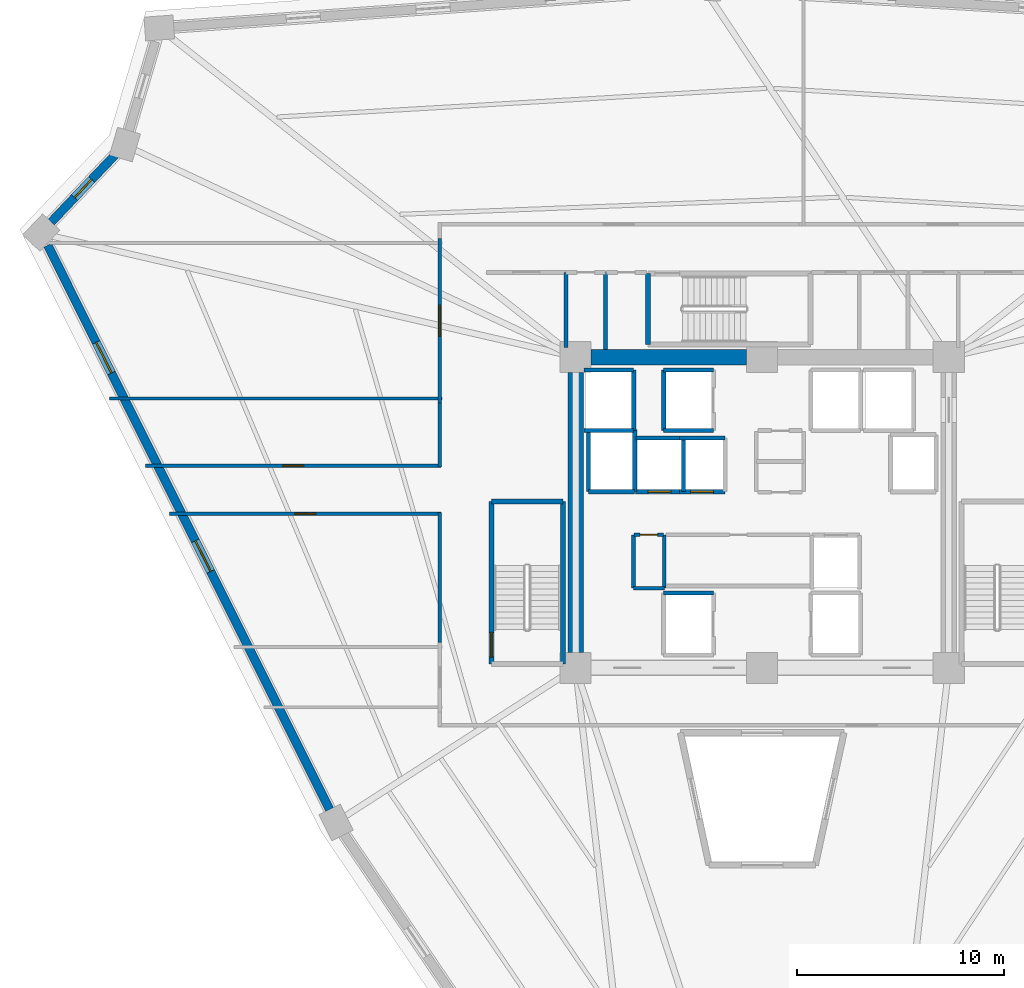
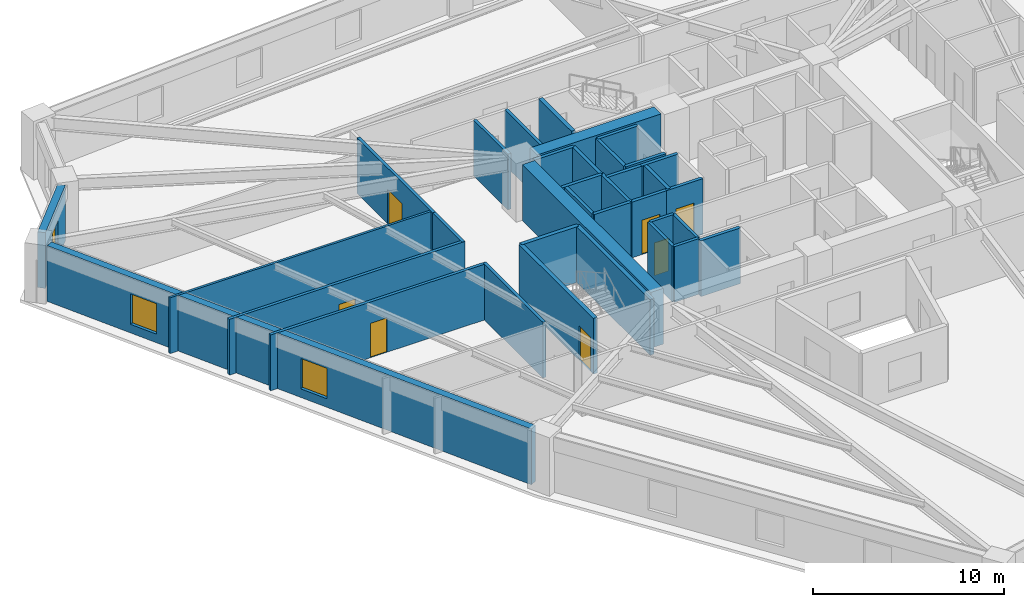
# One storey, part 4 of 8: 35 walls, 7 doors, 3 windows, 10 openings.
"""IFC4 building model written with IfcOpenShell, lengths in metres."""

from ifc_helpers import new_model, si_unit, direction, frame, frame_2d, origin, place, context, subcontext, project, spatial, rectangle, extrude, source, transform, mapped, material, layer, layer_set, type_object, element, fill, save


model = new_model("IFC4")

# Units and contexts
model_context = context("Model", 3, precision=1e-05, world=origin(), true_north=direction((0.0, 1.0)))
body_context = subcontext(model_context, "Body", "Model", "MODEL_VIEW")
ifc_project = project(units=[si_unit("LENGTHUNIT", "METRE"), si_unit("AREAUNIT", "SQUARE_METRE"), si_unit("VOLUMEUNIT", "CUBIC_METRE"), si_unit("PLANEANGLEUNIT", "RADIAN"), si_unit("MASSUNIT", "GRAM", prefix="KILO")], contexts=[model_context])

# Site, building, storey
site_placement = place(None, origin())
site = spatial("IfcSite", under=ifc_project, at=site_placement, CompositionType="ELEMENT")
building_placement = place(site_placement, origin())
building = spatial("IfcBuilding", under=site, at=building_placement, Name="Liaohun Quay Tower", CompositionType="ELEMENT")
storey_placement = place(building_placement, frame((0.0, 0.0, 174.0)))
storey = spatial("IfcBuildingStorey", under=building, at=storey_placement, Name="L45", CompositionType="ELEMENT", Elevation=174.0)

# Walls
ifc_material_1 = material(Name="Concrete C60", Category="concrete")
ifc_layer_1 = layer(ifc_material_1, 0.75, Name="Concrete C60", Category="concrete")
ifc_layer_set_1 = layer_set([ifc_layer_1], Name="Concrete C60")
wall_type_1 = type_object("IfcWallType", Name="WAL-COR-Z2", PredefinedType="SHEAR", material=ifc_layer_set_1)
wall_1_placement = place(storey_placement, frame((51.75, 61.5, 0.0), z_axis=(0.0, 0.0, 1.0), x_axis=(1.0, 0.0, 0.0)))
element("IfcWall", 1, at=wall_1_placement, inside=storey, type_object=wall_type_1, Name="L45 Central Core Shear Wall N-W", PredefinedType="SHEAR", context=body_context, shape_type="SweptSolid", body=[
    extrude(rectangle(XDim=7.5, YDim=0.75, at=frame_2d((3.75, 0.0))), origin(), (0.0, 0.0, 1.0), 3.570068359375),
])
wall_2_placement = place(storey_placement, frame((51.0, 47.25, 0.0), z_axis=(0.0, 0.0, 1.0), x_axis=(0.0, 1.0, 0.0)))
element("IfcWall", 2, at=wall_2_placement, inside=storey, type_object=wall_type_1, Name="L45 Central Core Shear Wall W", PredefinedType="SHEAR", context=body_context, shape_type="SweptSolid", body=[
    extrude(rectangle(XDim=13.5, YDim=0.75, at=frame_2d((6.75, 0.0))), origin(), (0.0, 0.0, 1.0), 3.570068359375),
])

# Wall, opening, window
ifc_material_2 = material(Name="Precast concrete C50 insulated sandwich", Category="concrete")
ifc_layer_2 = layer(ifc_material_2, 0.419921875, Name="Precast concrete C50 insulated sandwich", Category="concrete")
ifc_layer_set_2 = layer_set([ifc_layer_2], Name="Precast concrete C50 insulated sandwich")
wall_type_2 = type_object("IfcWallType", Name="WAL-EXT-Z12", PredefinedType="SOLIDWALL", material=ifc_layer_set_2)
wall_3_placement = place(storey_placement, frame((28.778076171875, 71.2509765625, 0.0), z_axis=(0.0, 0.0, 1.0), x_axis=(-0.689126443885, -0.724641114165, 0.0)))
wall_3 = element("IfcWall", 3, at=wall_3_placement, inside=storey, type_object=wall_type_2, Name="L45 Brutalist Precast Pier Wall 09", PredefinedType="SOLIDWALL", context=body_context, shape_type="SweptSolid", body=[
    extrude(rectangle(XDim=4.47509765625, YDim=0.419921875, at=frame_2d((2.237548828125, 0.0))), origin(), (0.0, 0.0, 1.0), 3.570068359375),
])
shared_shape_1 = source(origin(), body_context, "Body", "SweptSolid", [
    extrude(rectangle(XDim=1.199951171875, YDim=1.89990234375, at=frame_2d((0.60009765625, 0.949951171875))), frame((0.0, 0.219970703125, 0.0), z_axis=(0.0, -1.0, 0.0), x_axis=(1.0, 0.0, 0.0)), (0.0, 0.0, 1.0), 0.43994140625),
])
opening_1_placement = place(wall_3_placement, frame((1.637939453125, 0.0, 0.550048828125)))
opening_1 = element("IfcOpeningElement", 4, at=opening_1_placement, cuts=wall_3, Name="Opening W05", PredefinedType="OPENING", context=body_context, shape_type="MappedRepresentation", body=[
    mapped(shared_shape_1, transform((0.0, 0.0, 0.0), x_axis=(1.0, 0.0, 0.0), y_axis=(0.0, 1.0, 0.0), z_axis=(0.0, 0.0, 1.0), scale=1.0)),
])
ifc_material_3 = material(Name="Triple Low-E corner notch glazing", Category="glass")
window_type_1 = type_object("IfcWindowType", Name="WIN-NOTCH", PartitioningType="SINGLE_PANEL", PredefinedType="WINDOW", material=ifc_material_3)
shared_shape_2 = source(origin(), body_context, "Body", "SweptSolid", [
    extrude(rectangle(XDim=1.199951171875, YDim=1.89990234375, at=frame_2d((0.60009765625, 0.949951171875))), frame((0.0, 0.030029296875, 0.0), z_axis=(0.0, -1.0, 0.0), x_axis=(1.0, 0.0, 0.0)), (0.0, 0.0, 1.0), 0.06005859375),
])
window_1_placement = place(opening_1_placement, origin())
window_1 = element("IfcWindow", 5, at=window_1_placement, inside=storey, type_object=window_type_1, Name="L45 Corner Notch Window W05-09", OverallHeight=1.89990234375, OverallWidth=1.199951171875, PartitioningType="SINGLE_PANEL", PredefinedType="WINDOW", context=body_context, shape_type="MappedRepresentation", body=[
    mapped(shared_shape_2, transform((0.0, 0.0, 0.0), x_axis=(1.0, 0.0, 0.0), y_axis=(0.0, 1.0, 0.0), z_axis=(0.0, 0.0, 1.0), scale=1.0)),
])
fill(opening_1, window_1)

# Wall, openings, windows
wall_4_placement = place(storey_placement, frame((25.52587890625, 66.89111328125, 0.0), z_axis=(0.0, 0.0, 1.0), x_axis=(0.446995422188, -0.894536244399, 0.0)))
wall_4 = element("IfcWall", 6, at=wall_4_placement, inside=storey, type_object=wall_type_2, Name="L45 Brutalist Precast Pier Wall 10", PredefinedType="SOLIDWALL", context=body_context, shape_type="SweptSolid", body=[
    extrude(rectangle(XDim=30.439208984375, YDim=0.419921875, at=frame_2d((15.2197265625, 0.0))), origin(), (0.0, 0.0, 1.0), 3.570068359375),
])
shared_shape_3 = source(origin(), body_context, "Body", "SweptSolid", [
    extrude(rectangle(XDim=1.64990234375, YDim=1.949951171875, at=frame_2d((0.824951171875, 0.97509765625))), frame((0.0, 0.219970703125, 0.0), z_axis=(0.0, -1.0, 0.0), x_axis=(1.0, 0.0, 0.0)), (0.0, 0.0, 1.0), 0.43994140625),
])
opening_2_placement = place(wall_4_placement, frame((5.235107421875, 0.0, 0.550048828125)))
opening_2 = element("IfcOpeningElement", 7, at=opening_2_placement, cuts=wall_4, Name="Opening W02", PredefinedType="OPENING", context=body_context, shape_type="MappedRepresentation", body=[
    mapped(shared_shape_3, transform((0.0, 0.0, 0.0), x_axis=(1.0, 0.0, 0.0), y_axis=(0.0, 1.0, 0.0), z_axis=(0.0, 0.0, 1.0), scale=1.0)),
])
opening_3_placement = place(wall_4_placement, frame((15.945068359375, 0.0, 0.550048828125)))
opening_3 = element("IfcOpeningElement", 8, at=opening_3_placement, cuts=wall_4, Name="Opening W02", PredefinedType="OPENING", context=body_context, shape_type="MappedRepresentation", body=[
    mapped(shared_shape_3, transform((0.0, 0.0, 0.0), x_axis=(1.0, 0.0, 0.0), y_axis=(0.0, 1.0, 0.0), z_axis=(0.0, 0.0, 1.0), scale=1.0)),
])
ifc_material_4 = material(Name="Triple Low-E argon glazing in thermally broken aluminium", Category="aluminium")
window_type_2 = type_object("IfcWindowType", Name="WIN-PUN-Z2", PartitioningType="DOUBLE_PANEL_VERTICAL", PredefinedType="WINDOW", material=ifc_material_4)
shared_shape_4 = source(origin(), body_context, "Body", "SweptSolid", [
    extrude(rectangle(XDim=1.64990234375, YDim=1.949951171875, at=frame_2d((0.824951171875, 0.97509765625))), frame((0.0, 0.030029296875, 0.0), z_axis=(0.0, -1.0, 0.0), x_axis=(1.0, 0.0, 0.0)), (0.0, 0.0, 1.0), 0.06005859375),
])
window_2_placement = place(opening_2_placement, origin())
window_2 = element("IfcWindow", 9, at=window_2_placement, inside=storey, type_object=window_type_2, Name="L45 Recessed Cold-Climate Punched Window 10-1", OverallHeight=1.949951171875, OverallWidth=1.64990234375, PartitioningType="DOUBLE_PANEL_VERTICAL", PredefinedType="WINDOW", context=body_context, shape_type="MappedRepresentation", body=[
    mapped(shared_shape_4, transform((0.0, 0.0, 0.0), x_axis=(1.0, 0.0, 0.0), y_axis=(0.0, 1.0, 0.0), z_axis=(0.0, 0.0, 1.0), scale=1.0)),
])
fill(opening_2, window_2)
window_3_placement = place(opening_3_placement, origin())
window_3 = element("IfcWindow", 10, at=window_3_placement, inside=storey, type_object=window_type_2, Name="L45 Recessed Cold-Climate Punched Window 10-2", OverallHeight=1.949951171875, OverallWidth=1.64990234375, PartitioningType="DOUBLE_PANEL_VERTICAL", PredefinedType="WINDOW", context=body_context, shape_type="MappedRepresentation", body=[
    mapped(shared_shape_4, transform((0.0, 0.0, 0.0), x_axis=(1.0, 0.0, 0.0), y_axis=(0.0, 1.0, 0.0), z_axis=(0.0, 0.0, 1.0), scale=1.0)),
])
fill(opening_3, window_3)

# Wall, opening, door
ifc_material_5 = material(Name="Autoclaved aerated concrete blockwork", Category="masonry")
ifc_layer_3 = layer(ifc_material_5, 0.179931640625, Name="Autoclaved aerated concrete blockwork", Category="masonry")
ifc_layer_set_3 = layer_set([ifc_layer_3], Name="Autoclaved aerated concrete blockwork")
wall_type_3 = type_object("IfcWallType", Name="WAL-PRT-COR", PredefinedType="PARTITIONING", material=ifc_layer_set_3)
wall_5_placement = place(storey_placement, frame((53.820068359375, 52.919921875, 0.0), z_axis=(0.0, 0.0, 1.0), x_axis=(1.0, 0.0, 0.0)))
wall_5 = element("IfcWall", 11, at=wall_5_placement, inside=storey, type_object=wall_type_3, Name="L45 Interior Partition Wall 004", PredefinedType="PARTITIONING", context=body_context, shape_type="SweptSolid", body=[
    extrude(rectangle(XDim=1.429931640625, YDim=0.179931640625, at=frame_2d((0.71484375, 0.0))), origin(), (0.0, 0.0, 1.0), 3.570068359375),
])
shared_shape_5 = source(origin(), body_context, "Body", "SweptSolid", [
    extrude(rectangle(XDim=0.85009765625, YDim=2.10009765625, at=frame_2d((0.425048828125, 1.050048828125))), frame((0.0, 0.099853515625, 0.0), z_axis=(0.0, -1.0, 0.0), x_axis=(1.0, 0.0, 0.0)), (0.0, 0.0, 1.0), 0.199951171875),
])
opening_4_placement = place(wall_5_placement, frame((0.2900390625, 0.0, 0.0)))
opening_4 = element("IfcOpeningElement", 12, at=opening_4_placement, cuts=wall_5, Name="Opening AD1", PredefinedType="OPENING", context=body_context, shape_type="MappedRepresentation", body=[
    mapped(shared_shape_5, transform((0.0, 0.0, 0.0), x_axis=(1.0, 0.0, 0.0), y_axis=(0.0, 1.0, 0.0), z_axis=(0.0, 0.0, 1.0), scale=1.0)),
])
ifc_material_6 = material(Name="Steel riser inspection fire door", Category="steel")
door_type_1 = type_object("IfcDoorType", Name="DOR-SHF-850", OperationType="NOTDEFINED", PredefinedType="DOOR", material=ifc_material_6)
shared_shape_6 = source(origin(), body_context, "Body", "SweptSolid", [
    extrude(rectangle(XDim=0.85009765625, YDim=2.10009765625, at=frame_2d((0.425048828125, 1.050048828125))), frame((0.0, 0.02490234375, 0.0), z_axis=(0.0, -1.0, 0.0), x_axis=(1.0, 0.0, 0.0)), (0.0, 0.0, 1.0), 0.050048828125),
])
door_1_placement = place(opening_4_placement, origin())
door_1 = element("IfcDoor", 13, at=door_1_placement, inside=storey, type_object=door_type_1, Name="L45 Core Fire Hose and Riser Closet Door", OperationType="SINGLE_SWING_LEFT", OverallHeight=2.10009765625, OverallWidth=0.85009765625, PredefinedType="DOOR", context=body_context, shape_type="MappedRepresentation", body=[
    mapped(shared_shape_6, transform((0.0, 0.0, 0.0), x_axis=(1.0, 0.0, 0.0), y_axis=(0.0, 1.0, 0.0), z_axis=(0.0, 0.0, 1.0), scale=1.0)),
])
fill(opening_4, door_1)

wall_6_placement = place(storey_placement, frame((44.43994140625, 59.284912109375, 0.0), z_axis=(0.0, 0.0, 1.0), x_axis=(0.0, 1.0, 0.0)))
wall_6 = element("IfcWall", 14, at=wall_6_placement, inside=storey, type_object=wall_type_3, Name="L45 Interior Partition Wall 018", PredefinedType="PARTITIONING", context=body_context, shape_type="SweptSolid", body=[
    extrude(rectangle(XDim=7.93017578125, YDim=0.179931640625, at=frame_2d((3.965087890625, 0.0))), origin(), (0.0, 0.0, 1.0), 3.570068359375),
])
shared_shape_7 = source(origin(), body_context, "Body", "SweptSolid", [
    extrude(rectangle(XDim=1.5, YDim=2.199951171875, at=frame_2d((0.75, 1.10009765625))), frame((0.0, 0.099853515625, 0.0), z_axis=(0.0, -1.0, 0.0), x_axis=(1.0, 0.0, 0.0)), (0.0, 0.0, 1.0), 0.199951171875),
])
opening_5_placement = place(wall_6_placement, frame((3.215087890625, 0.0, 0.0)))
opening_5 = element("IfcOpeningElement", 15, at=opening_5_placement, cuts=wall_6, Name="Opening OD2", PredefinedType="OPENING", context=body_context, shape_type="MappedRepresentation", body=[
    mapped(shared_shape_7, transform((0.0, 0.0, 0.0), x_axis=(1.0, 0.0, 0.0), y_axis=(0.0, 1.0, 0.0), z_axis=(0.0, 0.0, 1.0), scale=1.0)),
])
ifc_material_7 = material(Name="Acoustic oak veneer double door")
door_type_2 = type_object("IfcDoorType", Name="DOR-OFF-1500", OperationType="DOUBLE_DOOR_SINGLE_SWING", PredefinedType="DOOR", material=ifc_material_7)
shared_shape_8 = source(origin(), body_context, "Body", "SweptSolid", [
    extrude(rectangle(XDim=1.5, YDim=2.199951171875, at=frame_2d((0.75, 1.10009765625))), frame((0.0, 0.02490234375, 0.0), z_axis=(0.0, -1.0, 0.0), x_axis=(1.0, 0.0, 0.0)), (0.0, 0.0, 1.0), 0.050048828125),
])
door_2_placement = place(opening_5_placement, origin())
door_2 = element("IfcDoor", 16, at=door_2_placement, inside=storey, type_object=door_type_2, Name="L45 Project Collaboration Studio 04 Door", OperationType="DOUBLE_DOOR_SINGLE_SWING", OverallHeight=2.199951171875, OverallWidth=1.5, PredefinedType="DOOR", context=body_context, shape_type="MappedRepresentation", body=[
    mapped(shared_shape_8, transform((0.0, 0.0, 0.0), x_axis=(1.0, 0.0, 0.0), y_axis=(0.0, 1.0, 0.0), z_axis=(0.0, 0.0, 1.0), scale=1.0)),
])
fill(opening_5, door_2)

wall_7_placement = place(storey_placement, frame((30.242919921875, 56.260009765625, 0.0), z_axis=(0.0, 0.0, 1.0), x_axis=(1.0, 0.0, 0.0)))
wall_7 = element("IfcWall", 17, at=wall_7_placement, inside=storey, type_object=wall_type_3, Name="L45 Interior Partition Wall 019", PredefinedType="PARTITIONING", context=body_context, shape_type="SweptSolid", body=[
    extrude(rectangle(XDim=14.26708984375, YDim=0.179931640625, at=frame_2d((7.133544921875, 0.0))), origin(), (0.0, 0.0, 1.0), 3.570068359375),
])
shared_shape_9 = source(origin(), body_context, "Body", "SweptSolid", [
    extrude(rectangle(XDim=1.0, YDim=2.199951171875, at=frame_2d((0.5, 1.10009765625))), frame((0.0, 0.099853515625, 0.0), z_axis=(0.0, -1.0, 0.0), x_axis=(1.0, 0.0, 0.0)), (0.0, 0.0, 1.0), 0.199951171875),
])
opening_6_placement = place(wall_7_placement, frame((6.633056640625, 0.0, 0.0)))
opening_6 = element("IfcOpeningElement", 18, at=opening_6_placement, cuts=wall_7, Name="Opening OD1", PredefinedType="OPENING", context=body_context, shape_type="MappedRepresentation", body=[
    mapped(shared_shape_9, transform((0.0, 0.0, 0.0), x_axis=(1.0, 0.0, 0.0), y_axis=(0.0, 1.0, 0.0), z_axis=(0.0, 0.0, 1.0), scale=1.0)),
])
ifc_material_8 = material(Name="Solid-core oak veneer timber leaf in steel frame", Category="steel")
door_type_3 = type_object("IfcDoorType", Name="DOR-OFF-1000", OperationType="NOTDEFINED", PredefinedType="DOOR", material=ifc_material_8)
shared_shape_10 = source(origin(), body_context, "Body", "SweptSolid", [
    extrude(rectangle(XDim=1.0, YDim=2.199951171875, at=frame_2d((0.5, 1.10009765625))), frame((0.0, 0.02490234375, 0.0), z_axis=(0.0, -1.0, 0.0), x_axis=(1.0, 0.0, 0.0)), (0.0, 0.0, 1.0), 0.050048828125),
])
door_3_placement = place(opening_6_placement, origin())
door_3 = element("IfcDoor", 19, at=door_3_placement, inside=storey, type_object=door_type_3, Name="L45 Corporate Exhibition Gallery 05 Door", OperationType="SINGLE_SWING_RIGHT", OverallHeight=2.199951171875, OverallWidth=1.0, PredefinedType="DOOR", context=body_context, shape_type="MappedRepresentation", body=[
    mapped(shared_shape_10, transform((0.0, 0.0, 0.0), x_axis=(1.0, 0.0, 0.0), y_axis=(0.0, 1.0, 0.0), z_axis=(0.0, 0.0, 1.0), scale=1.0)),
])
fill(opening_6, door_3)

wall_8_placement = place(storey_placement, frame((44.510009765625, 53.93994140625, 0.0), z_axis=(0.0, 0.0, 1.0), x_axis=(-1.0, 0.0, 0.0)))
wall_8 = element("IfcWall", 20, at=wall_8_placement, inside=storey, type_object=wall_type_3, Name="L45 Interior Partition Wall 020", PredefinedType="PARTITIONING", context=body_context, shape_type="SweptSolid", body=[
    extrude(rectangle(XDim=13.10791015625, YDim=0.179931640625, at=frame_2d((6.553955078125, 0.0))), origin(), (0.0, 0.0, 1.0), 3.570068359375),
])
opening_7_placement = place(wall_8_placement, frame((6.053955078125, 0.0, 0.0)))
opening_7 = element("IfcOpeningElement", 21, at=opening_7_placement, cuts=wall_8, Name="Opening OD1", PredefinedType="OPENING", context=body_context, shape_type="MappedRepresentation", body=[
    mapped(shared_shape_9, transform((0.0, 0.0, 0.0), x_axis=(1.0, 0.0, 0.0), y_axis=(0.0, 1.0, 0.0), z_axis=(0.0, 0.0, 1.0), scale=1.0)),
])
door_4_placement = place(opening_7_placement, origin())
door_4 = element("IfcDoor", 22, at=door_4_placement, inside=storey, type_object=door_type_3, Name="L45 Staff Tea Kitchen and Pantry 06 Door", OperationType="SINGLE_SWING_LEFT", OverallHeight=2.199951171875, OverallWidth=1.0, PredefinedType="DOOR", context=body_context, shape_type="MappedRepresentation", body=[
    mapped(shared_shape_10, transform((0.0, 0.0, 0.0), x_axis=(1.0, 0.0, 0.0), y_axis=(0.0, 1.0, 0.0), z_axis=(0.0, 0.0, 1.0), scale=1.0)),
])
fill(opening_7, door_4)

# Walls
wall_9_placement = place(storey_placement, frame((53.7900390625, 50.35009765625, 0.0), z_axis=(0.0, 0.0, 1.0), x_axis=(0.0, 1.0, 0.0)))
element("IfcWall", 23, at=wall_9_placement, inside=storey, type_object=wall_type_3, Name="L45 Interior Partition Wall 028", PredefinedType="PARTITIONING", context=body_context, shape_type="SweptSolid", body=[
    extrude(rectangle(XDim=2.56982421875, YDim=0.179931640625, at=frame_2d((1.284912109375, 0.0))), origin(), (0.0, 0.0, 1.0), 3.570068359375),
])
wall_10_placement = place(storey_placement, frame((53.7900390625, 50.35009765625, 0.0), z_axis=(0.0, 0.0, 1.0), x_axis=(1.0, 0.0, 0.0)))
element("IfcWall", 24, at=wall_10_placement, inside=storey, type_object=wall_type_3, Name="L45 Interior Partition Wall 029", PredefinedType="PARTITIONING", context=body_context, shape_type="SweptSolid", body=[
    extrude(rectangle(XDim=1.489990234375, YDim=0.179931640625, at=frame_2d((0.7451171875, 0.0))), origin(), (0.0, 0.0, 1.0), 3.570068359375),
])
wall_11_placement = place(storey_placement, frame((55.280029296875, 50.35009765625, 0.0), z_axis=(0.0, 0.0, 1.0), x_axis=(0.0, 1.0, 0.0)))
element("IfcWall", 25, at=wall_11_placement, inside=storey, type_object=wall_type_3, Name="L45 Interior Partition Wall 030", PredefinedType="PARTITIONING", context=body_context, shape_type="SweptSolid", body=[
    extrude(rectangle(XDim=2.56982421875, YDim=0.179931640625, at=frame_2d((1.284912109375, 0.0))), origin(), (0.0, 0.0, 1.0), 3.570068359375),
])
wall_12_placement = place(storey_placement, frame((50.5400390625, 61.949951171875, 0.0), z_axis=(0.0, 0.0, 1.0), x_axis=(0.0, 1.0, 0.0)))
element("IfcWall", 26, at=wall_12_placement, inside=storey, type_object=wall_type_3, Name="L45 Interior Partition Wall 036", PredefinedType="PARTITIONING", context=body_context, shape_type="SweptSolid", body=[
    extrude(rectangle(XDim=3.630126953125, YDim=0.179931640625, at=frame_2d((1.81494140625, 0.0))), origin(), (0.0, 0.0, 1.0), 3.570068359375),
])
wall_13_placement = place(storey_placement, frame((52.43994140625, 61.875, 0.0), z_axis=(0.0, 0.0, 1.0), x_axis=(0.0, 1.0, 0.0)))
element("IfcWall", 27, at=wall_13_placement, inside=storey, type_object=wall_type_3, Name="L45 Interior Partition Wall 037", PredefinedType="PARTITIONING", context=body_context, shape_type="SweptSolid", body=[
    extrude(rectangle(XDim=3.705078125, YDim=0.179931640625, at=frame_2d((1.8525390625, 0.0))), origin(), (0.0, 0.0, 1.0), 3.570068359375),
])
wall_14_placement = place(storey_placement, frame((44.43994140625, 56.18994140625, 0.0), z_axis=(0.0, 0.0, 1.0), x_axis=(0.0, 1.0, 0.0)))
element("IfcWall", 28, at=wall_14_placement, inside=storey, type_object=wall_type_3, Name="L45 Interior Partition Wall 044", PredefinedType="PARTITIONING", context=body_context, shape_type="SweptSolid", body=[
    extrude(rectangle(XDim=3.094970703125, YDim=0.179931640625, at=frame_2d((1.54736328125, 0.0))), origin(), (0.0, 0.0, 1.0), 3.570068359375),
])
wall_15_placement = place(storey_placement, frame((44.43994140625, 47.715087890625, 0.0), z_axis=(0.0, 0.0, 1.0), x_axis=(0.0, 1.0, 0.0)))
element("IfcWall", 29, at=wall_15_placement, inside=storey, type_object=wall_type_3, Name="L45 Interior Partition Wall 045", PredefinedType="PARTITIONING", context=body_context, shape_type="SweptSolid", body=[
    extrude(rectangle(XDim=6.294921875, YDim=0.179931640625, at=frame_2d((3.1474609375, 0.0))), origin(), (0.0, 0.0, 1.0), 3.570068359375),
])
ifc_material_9 = material(Name="Gypsum board on twin steel studs", Category="steel")
ifc_layer_4 = layer(ifc_material_9, 0.139892578125, Name="Gypsum board on twin steel studs", Category="steel")
ifc_layer_set_4 = layer_set([ifc_layer_4], Name="Gypsum board on twin steel studs")
wall_type_4 = type_object("IfcWallType", Name="WAL-PRT-OFF", PredefinedType="PARTITIONING", material=ifc_layer_set_4)
wall_16_placement = place(storey_placement, frame((44.5400390625, 59.5, 0.0), z_axis=(0.0, 0.0, 1.0), x_axis=(-1.0, 0.0, 0.0)))
element("IfcWall", 30, at=wall_16_placement, inside=storey, type_object=wall_type_4, Name="L45 Interior Partition Wall 051", PredefinedType="PARTITIONING", context=body_context, shape_type="SweptSolid", body=[
    extrude(rectangle(XDim=16.025146484375, YDim=0.139892578125, at=frame_2d((8.0126953125, 0.0))), origin(), (0.0, 0.0, 1.0), 3.570068359375),
])
ifc_material_10 = material(Name="Concrete C50", Category="concrete")
ifc_layer_5 = layer(ifc_material_10, 0.239990234375, Name="Concrete C50", Category="concrete")
ifc_layer_set_5 = layer_set([ifc_layer_5], Name="Concrete C50")
wall_type_5 = type_object("IfcWallType", Name="WAL-SHF-200", PredefinedType="SOLIDWALL", material=ifc_layer_set_5)
wall_17_placement = place(storey_placement, frame((50.3798828125, 46.699951171875, 0.0), z_axis=(0.0, 0.0, 1.0), x_axis=(0.0, 1.0, 0.0)))
element("IfcWall", 31, at=wall_17_placement, inside=storey, type_object=wall_type_5, Name="L45 Stairwell ST-1 Structural Core Wall E", PredefinedType="SOLIDWALL", context=body_context, shape_type="SweptSolid", body=[
    extrude(rectangle(XDim=7.820068359375, YDim=0.239990234375, at=frame_2d((3.91015625, 0.0))), origin(), (0.0, 0.0, 1.0), 3.570068359375),
])
wall_18_placement = place(storey_placement, frame((50.3798828125, 54.52001953125, 0.0), z_axis=(0.0, 0.0, 1.0), x_axis=(-1.0, 0.0, 0.0)))
element("IfcWall", 32, at=wall_18_placement, inside=storey, type_object=wall_type_5, Name="L45 Stairwell ST-1 Structural Core Wall N", PredefinedType="SOLIDWALL", context=body_context, shape_type="SweptSolid", body=[
    extrude(rectangle(XDim=3.43994140625, YDim=0.239990234375, at=frame_2d((1.719970703125, 0.0))), origin(), (0.0, 0.0, 1.0), 3.570068359375),
])

# Wall, opening, door
wall_19_placement = place(storey_placement, frame((46.93994140625, 54.52001953125, 0.0), z_axis=(0.0, 0.0, 1.0), x_axis=(0.0, -1.0, 0.0)))
wall_19 = element("IfcWall", 33, at=wall_19_placement, inside=storey, type_object=wall_type_5, Name="L45 Stairwell ST-1 Structural Core Wall W", PredefinedType="SOLIDWALL", context=body_context, shape_type="SweptSolid", body=[
    extrude(rectangle(XDim=7.820068359375, YDim=0.239990234375, at=frame_2d((3.91015625, 0.0))), origin(), (0.0, 0.0, 1.0), 3.570068359375),
])
shared_shape_11 = source(origin(), body_context, "Body", "SweptSolid", [
    extrude(rectangle(XDim=1.199951171875, YDim=2.199951171875, at=frame_2d((0.60009765625, 1.10009765625))), frame((0.0, 0.1298828125, 0.0), z_axis=(0.0, -1.0, 0.0), x_axis=(1.0, 0.0, 0.0)), (0.0, 0.0, 1.0), 0.260009765625),
])
opening_8_placement = place(wall_19_placement, frame((6.300048828125, 0.0, 0.0)))
opening_8 = element("IfcOpeningElement", 34, at=opening_8_placement, cuts=wall_19, Name="Opening SD1", PredefinedType="OPENING", context=body_context, shape_type="MappedRepresentation", body=[
    mapped(shared_shape_11, transform((0.0, 0.0, 0.0), x_axis=(1.0, 0.0, 0.0), y_axis=(0.0, 1.0, 0.0), z_axis=(0.0, 0.0, 1.0), scale=1.0)),
])
ifc_material_11 = material(Name="Galvanised steel fire door", Category="steel")
door_type_4 = type_object("IfcDoorType", Name="DOR-STR-1200", OperationType="NOTDEFINED", PredefinedType="DOOR", material=ifc_material_11)
shared_shape_12 = source(origin(), body_context, "Body", "SweptSolid", [
    extrude(rectangle(XDim=1.199951171875, YDim=2.199951171875, at=frame_2d((0.60009765625, 1.10009765625))), frame((0.0, 0.02490234375, 0.0), z_axis=(0.0, -1.0, 0.0), x_axis=(1.0, 0.0, 0.0)), (0.0, 0.0, 1.0), 0.050048828125),
])
door_5_placement = place(opening_8_placement, origin())
door_5 = element("IfcDoor", 35, at=door_5_placement, inside=storey, type_object=door_type_4, Name="L45 Protected Stair ST-1 Fire Door", OperationType="SINGLE_SWING_LEFT", OverallHeight=2.199951171875, OverallWidth=1.199951171875, PredefinedType="DOOR", context=body_context, shape_type="MappedRepresentation", body=[
    mapped(shared_shape_12, transform((0.0, 0.0, 0.0), x_axis=(1.0, 0.0, 0.0), y_axis=(0.0, 1.0, 0.0), z_axis=(0.0, 0.0, 1.0), scale=1.0)),
])
fill(opening_8, door_5)

# Walls
wall_20_placement = place(storey_placement, frame((54.5, 65.5400390625, 0.0), z_axis=(0.0, 0.0, 1.0), x_axis=(0.0, -1.0, 0.0)))
element("IfcWall", 36, at=wall_20_placement, inside=storey, type_object=wall_type_5, Name="L45 Stairwell ST-3 Structural Core Wall W", PredefinedType="SOLIDWALL", context=body_context, shape_type="SweptSolid", body=[
    extrude(rectangle(XDim=3.43994140625, YDim=0.239990234375, at=frame_2d((1.719970703125, 0.0))), origin(), (0.0, 0.0, 1.0), 3.570068359375),
])
for number, where, z_axis, x_axis, name in (
    (37, (57.64990234375, 50.1201171875, 0.0), (0.0, 0.0, 1.0), (-1.0, 0.0, 0.0), "L45 Lift FF-01 Hoistway Wall N"),
    (38, (55.25, 57.949951171875, 0.0), (0.0, 0.0, 1.0), (1.0, 0.0, 0.0), "L45 Lift FF-03 Hoistway Wall S"),
    (39, (57.64990234375, 60.8798828125, 0.0), (0.0, 0.0, 1.0), (-1.0, 0.0, 0.0), "L45 Lift FF-03 Hoistway Wall N"),
):
    element("IfcWall", number, at=place(storey_placement, frame(where, z_axis=z_axis, x_axis=x_axis)), inside=storey, type_object=wall_type_5, Name=name, PredefinedType="SOLIDWALL", context=body_context, shape_type="SweptSolid", body=[
        extrude(rectangle(XDim=2.39990234375, YDim=0.199951171875, at=frame_2d((1.199951171875, 0.0))), origin(), (0.0, 0.0, 1.0), 3.570068359375),
    ])
wall_21_placement = place(storey_placement, frame((55.25, 60.8798828125, 0.0), z_axis=(0.0, 0.0, 1.0), x_axis=(0.0, -1.0, 0.0)))
element("IfcWall", 40, at=wall_21_placement, inside=storey, type_object=wall_type_5, Name="L45 Lift FF-03 Hoistway Wall W", PredefinedType="SOLIDWALL", context=body_context, shape_type="SweptSolid", body=[
    extrude(rectangle(XDim=2.929931640625, YDim=0.199951171875, at=frame_2d((1.46484375, 0.0))), origin(), (0.0, 0.0, 1.0), 3.570068359375),
])
wall_22_placement = place(storey_placement, frame((51.39990234375, 57.949951171875, 0.0), z_axis=(0.0, 0.0, 1.0), x_axis=(1.0, 0.0, 0.0)))
element("IfcWall", 41, at=wall_22_placement, inside=storey, type_object=wall_type_5, Name="L45 Lift SH-01 Hoistway Wall S", PredefinedType="SOLIDWALL", context=body_context, shape_type="SweptSolid", body=[
    extrude(rectangle(XDim=2.400146484375, YDim=0.199951171875, at=frame_2d((1.2001953125, 0.0))), origin(), (0.0, 0.0, 1.0), 3.570068359375),
])
wall_23_placement = place(storey_placement, frame((53.800048828125, 57.949951171875, 0.0), z_axis=(0.0, 0.0, 1.0), x_axis=(0.0, 1.0, 0.0)))
element("IfcWall", 42, at=wall_23_placement, inside=storey, type_object=wall_type_5, Name="L45 Lift SH-01 Hoistway Wall E", PredefinedType="SOLIDWALL", context=body_context, shape_type="SweptSolid", body=[
    extrude(rectangle(XDim=2.929931640625, YDim=0.199951171875, at=frame_2d((1.46484375, 0.0))), origin(), (0.0, 0.0, 1.0), 3.570068359375),
])
wall_24_placement = place(storey_placement, frame((53.800048828125, 60.8798828125, 0.0), z_axis=(0.0, 0.0, 1.0), x_axis=(-1.0, 0.0, 0.0)))
element("IfcWall", 43, at=wall_24_placement, inside=storey, type_object=wall_type_5, Name="L45 Lift SH-01 Hoistway Wall N", PredefinedType="SOLIDWALL", context=body_context, shape_type="SweptSolid", body=[
    extrude(rectangle(XDim=2.400146484375, YDim=0.199951171875, at=frame_2d((1.2001953125, 0.0))), origin(), (0.0, 0.0, 1.0), 3.570068359375),
])
wall_25_placement = place(storey_placement, frame((51.6201171875, 55.0, 0.0), z_axis=(0.0, 0.0, 1.0), x_axis=(1.0, 0.0, 0.0)))
element("IfcWall", 44, at=wall_25_placement, inside=storey, type_object=wall_type_5, Name="L45 Lift SH-02 Hoistway Wall S", PredefinedType="SOLIDWALL", context=body_context, shape_type="SweptSolid", body=[
    extrude(rectangle(XDim=2.22998046875, YDim=0.199951171875, at=frame_2d((1.114990234375, 0.0))), origin(), (0.0, 0.0, 1.0), 3.570068359375),
])
for number, where, z_axis, x_axis, name in (
    (45, (53.85009765625, 55.0, 0.0), (0.0, 0.0, 1.0), (0.0, 1.0, 0.0), "L45 Lift SH-02 Hoistway Wall E"),
    (46, (51.6201171875, 58.0, 0.0), (0.0, 0.0, 1.0), (0.0, -1.0, 0.0), "L45 Lift SH-02 Hoistway Wall W"),
):
    element("IfcWall", number, at=place(storey_placement, frame(where, z_axis=z_axis, x_axis=x_axis)), inside=storey, type_object=wall_type_5, Name=name, PredefinedType="SOLIDWALL", context=body_context, shape_type="SweptSolid", body=[
        extrude(rectangle(XDim=3.0, YDim=0.199951171875, at=frame_2d((1.5, 0.0))), origin(), (0.0, 0.0, 1.0), 3.570068359375),
    ])

# Wall, opening, door
wall_26_placement = place(storey_placement, frame((53.89990234375, 55.0, 0.0), z_axis=(0.0, 0.0, 1.0), x_axis=(1.0, 0.0, 0.0)))
wall_26 = element("IfcWall", 47, at=wall_26_placement, inside=storey, type_object=wall_type_5, Name="L45 Lift PL-2B Hoistway Wall S", PredefinedType="SOLIDWALL", context=body_context, shape_type="SweptSolid", body=[
    extrude(rectangle(XDim=2.300048828125, YDim=0.199951171875, at=frame_2d((1.14990234375, 0.0))), origin(), (0.0, 0.0, 1.0), 3.570068359375),
])
shared_shape_13 = source(origin(), body_context, "Body", "SweptSolid", [
    extrude(rectangle(XDim=1.10009765625, YDim=2.199951171875, at=frame_2d((0.550048828125, 1.10009765625))), frame((0.0, 0.10986328125, 0.0), z_axis=(0.0, -1.0, 0.0), x_axis=(1.0, 0.0, 0.0)), (0.0, 0.0, 1.0), 0.219970703125),
])
opening_9_placement = place(wall_26_placement, frame((0.60009765625, 0.0, 0.0)))
opening_9 = element("IfcOpeningElement", 48, at=opening_9_placement, cuts=wall_26, Name="Opening LD1", PredefinedType="OPENING", context=body_context, shape_type="MappedRepresentation", body=[
    mapped(shared_shape_13, transform((0.0, 0.0, 0.0), x_axis=(1.0, 0.0, 0.0), y_axis=(0.0, 1.0, 0.0), z_axis=(0.0, 0.0, 1.0), scale=1.0)),
])
ifc_material_12 = material(Name="Brushed stainless steel landing door", Category="steel")
door_type_5 = type_object("IfcDoorType", Name="DOR-LFT-1100", OperationType="SLIDING_TO_LEFT", PredefinedType="DOOR", material=ifc_material_12)
shared_shape_14 = source(origin(), body_context, "Body", "SweptSolid", [
    extrude(rectangle(XDim=1.10009765625, YDim=2.199951171875, at=frame_2d((0.550048828125, 1.10009765625))), frame((0.0, 0.02490234375, 0.0), z_axis=(0.0, -1.0, 0.0), x_axis=(1.0, 0.0, 0.0)), (0.0, 0.0, 1.0), 0.050048828125),
])
door_6_placement = place(opening_9_placement, origin())
door_6 = element("IfcDoor", 49, at=door_6_placement, inside=storey, type_object=door_type_5, Name="L45 Lift PL-2B Sliding Landing Door", OperationType="SLIDING_TO_LEFT", OverallHeight=2.199951171875, OverallWidth=1.10009765625, PredefinedType="DOOR", context=body_context, shape_type="MappedRepresentation", body=[
    mapped(shared_shape_14, transform((0.0, 0.0, 0.0), x_axis=(1.0, 0.0, 0.0), y_axis=(0.0, 1.0, 0.0), z_axis=(0.0, 0.0, 1.0), scale=1.0)),
])
fill(opening_9, door_6)

# Walls
wall_27_placement = place(storey_placement, frame((56.199951171875, 55.0, 0.0), z_axis=(0.0, 0.0, 1.0), x_axis=(0.0, 1.0, 0.0)))
element("IfcWall", 50, at=wall_27_placement, inside=storey, type_object=wall_type_5, Name="L45 Lift PL-2B Hoistway Wall E", PredefinedType="SOLIDWALL", context=body_context, shape_type="SweptSolid", body=[
    extrude(rectangle(XDim=2.60009765625, YDim=0.199951171875, at=frame_2d((1.300048828125, 0.0))), origin(), (0.0, 0.0, 1.0), 3.570068359375),
])
wall_28_placement = place(storey_placement, frame((56.199951171875, 57.60009765625, 0.0), z_axis=(0.0, 0.0, 1.0), x_axis=(-1.0, 0.0, 0.0)))
element("IfcWall", 51, at=wall_28_placement, inside=storey, type_object=wall_type_5, Name="L45 Lift PL-2B Hoistway Wall N", PredefinedType="SOLIDWALL", context=body_context, shape_type="SweptSolid", body=[
    extrude(rectangle(XDim=2.300048828125, YDim=0.199951171875, at=frame_2d((1.14990234375, 0.0))), origin(), (0.0, 0.0, 1.0), 3.570068359375),
])

# Wall, opening, door
wall_29_placement = place(storey_placement, frame((56.0, 55.0, 0.0), z_axis=(0.0, 0.0, 1.0), x_axis=(1.0, 0.0, 0.0)))
wall_29 = element("IfcWall", 52, at=wall_29_placement, inside=storey, type_object=wall_type_5, Name="L45 Lift PL-2C Hoistway Wall S", PredefinedType="SOLIDWALL", context=body_context, shape_type="SweptSolid", body=[
    extrude(rectangle(XDim=2.199951171875, YDim=0.199951171875, at=frame_2d((1.10009765625, 0.0))), origin(), (0.0, 0.0, 1.0), 3.570068359375),
])
opening_10_placement = place(wall_29_placement, frame((0.550048828125, 0.0, 0.0)))
opening_10 = element("IfcOpeningElement", 53, at=opening_10_placement, cuts=wall_29, Name="Opening LD1", PredefinedType="OPENING", context=body_context, shape_type="MappedRepresentation", body=[
    mapped(shared_shape_13, transform((0.0, 0.0, 0.0), x_axis=(1.0, 0.0, 0.0), y_axis=(0.0, 1.0, 0.0), z_axis=(0.0, 0.0, 1.0), scale=1.0)),
])
door_7_placement = place(opening_10_placement, origin())
door_7 = element("IfcDoor", 54, at=door_7_placement, inside=storey, type_object=door_type_5, Name="L45 Lift PL-2C Sliding Landing Door", OperationType="SLIDING_TO_LEFT", OverallHeight=2.199951171875, OverallWidth=1.10009765625, PredefinedType="DOOR", context=body_context, shape_type="MappedRepresentation", body=[
    mapped(shared_shape_14, transform((0.0, 0.0, 0.0), x_axis=(1.0, 0.0, 0.0), y_axis=(0.0, 1.0, 0.0), z_axis=(0.0, 0.0, 1.0), scale=1.0)),
])
fill(opening_10, door_7)

# Wall
wall_30_placement = place(storey_placement, frame((58.199951171875, 57.60009765625, 0.0), z_axis=(0.0, 0.0, 1.0), x_axis=(-1.0, 0.0, 0.0)))
element("IfcWall", 55, at=wall_30_placement, inside=storey, type_object=wall_type_5, Name="L45 Lift PL-2C Hoistway Wall N", PredefinedType="SOLIDWALL", context=body_context, shape_type="SweptSolid", body=[
    extrude(rectangle(XDim=2.199951171875, YDim=0.199951171875, at=frame_2d((1.10009765625, 0.0))), origin(), (0.0, 0.0, 1.0), 3.570068359375),
])

save(model, "model.ifc")
